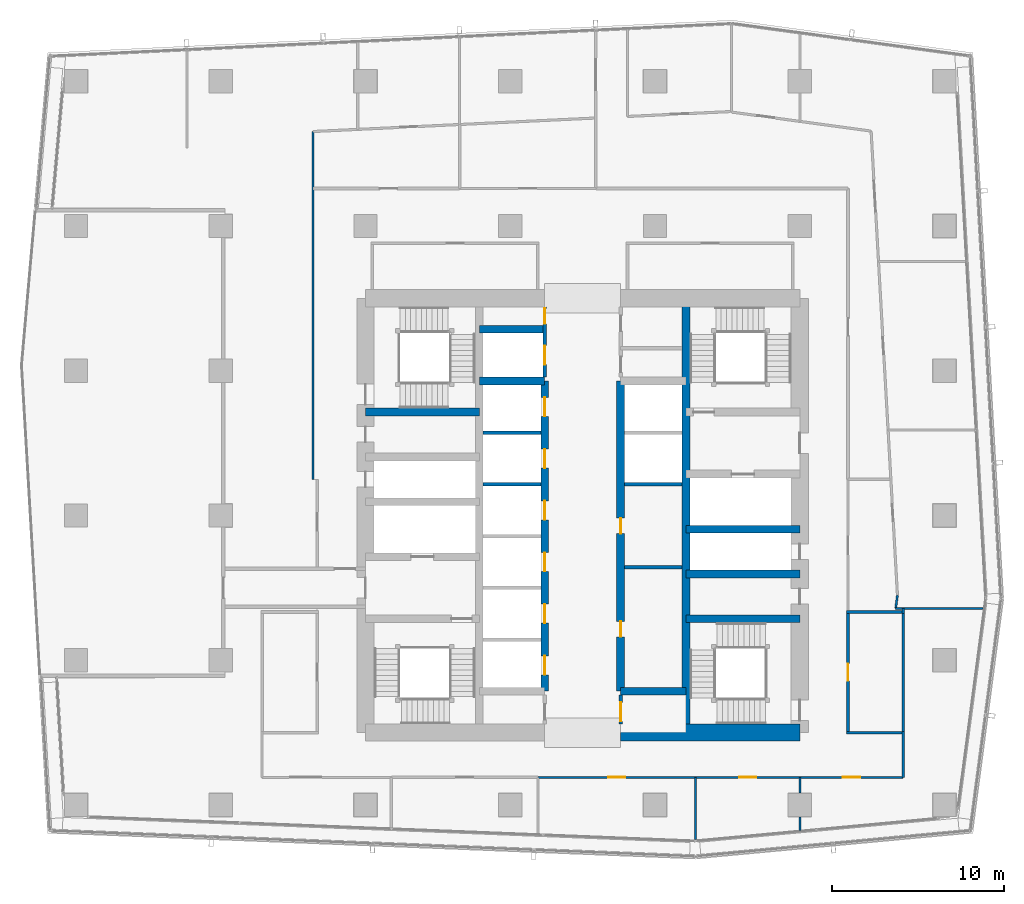
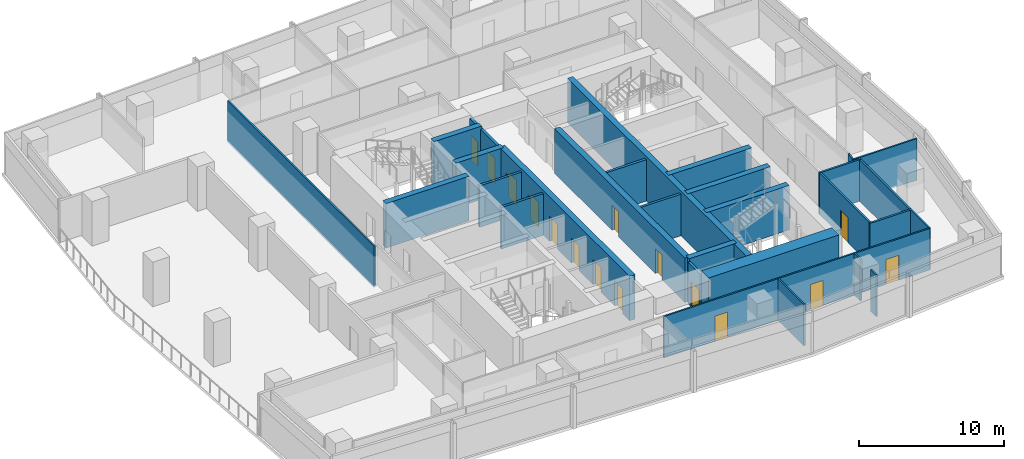
# One storey, part 25 of 35: 33 walls, 15 doors, 15 openings.
"""IFC4 building model written with IfcOpenShell, lengths in metres."""

from ifc_helpers import new_model, si_unit, direction, frame, frame_2d, origin, place, context, subcontext, project, spatial, rectangle, extrude, material, layer, layer_set, type_object, element, fill, save


model = new_model("IFC4")

# Units and contexts
model_context = context("Model", 3, precision=1e-05, world=origin(), true_north=direction((0.0, 1.0)))
body_context = subcontext(model_context, "Body", "Model", "MODEL_VIEW")
ifc_project = project(units=[si_unit("LENGTHUNIT", "METRE"), si_unit("AREAUNIT", "SQUARE_METRE"), si_unit("VOLUMEUNIT", "CUBIC_METRE"), si_unit("PLANEANGLEUNIT", "RADIAN"), si_unit("MASSUNIT", "GRAM", prefix="KILO")], contexts=[model_context])

# Site, building, storey
site_placement = place(None, origin())
site = spatial("IfcSite", under=ifc_project, at=site_placement, CompositionType="ELEMENT")
building_placement = place(site_placement, origin())
building = spatial("IfcBuilding", under=site, at=building_placement, Name="Rekha Terrace Tower", CompositionType="ELEMENT")
storey_placement = place(building_placement, frame((0.0, 0.0, 191.449951171875)))
storey = spatial("IfcBuildingStorey", under=building, at=storey_placement, Name="L48", CompositionType="ELEMENT", Elevation=191.449951171875)

# Wall
ifc_material_1 = material(Name="Concrete M60", Category="concrete")
ifc_layer_1 = layer(ifc_material_1, 0.449951171875)
ifc_layer_set_1 = layer_set([ifc_layer_1], Name="Concrete M60")
wall_type_1 = type_object("IfcWallType", Name="CI3 450 core internal shear wall", PredefinedType="SHEAR", material=ifc_layer_set_1)
wall_1_placement = place(storey_placement, frame((43.800048828125, 21.0, 0.0), z_axis=(0.0, 0.0, 1.0), x_axis=(0.0, 1.0, 0.0)))
element("IfcWall", 1, at=wall_1_placement, inside=storey, type_object=wall_type_1, Name="Core wall X438 L48", PredefinedType="SHEAR", context=body_context, shape_type="SweptSolid", body=[
    extrude(rectangle(XDim=25.199951171875, YDim=0.449951171875, at=frame_2d((12.60009765625, 0.0))), origin(), (0.0, 0.0, 1.0), 3.75),
])

# Wall, openings, doors
wall_2_placement = place(storey_placement, frame((35.60009765625, 23.39990234375, 0.0), z_axis=(0.0, 0.0, 1.0), x_axis=(0.0, 1.0, 0.0)))
wall_2 = element("IfcWall", 2, at=wall_2_placement, inside=storey, type_object=wall_type_1, Name="Core wall X356 L48", PredefinedType="SHEAR", context=body_context, shape_type="SweptSolid", body=[
    extrude(rectangle(XDim=18.0, YDim=0.449951171875, at=frame_2d((9.0, 0.0))), origin(), (0.0, 0.0, 1.0), 3.75),
])
opening_1_placement = place(wall_2_placement, frame((0.949951171875, 0.0, 0.0)))
opening_1 = element("IfcOpeningElement", 3, at=opening_1_placement, cuts=wall_2, Name="Opening LD1", PredefinedType="OPENING", context=body_context, shape_type="SweptSolid", body=[
    extrude(rectangle(XDim=1.10009765625, YDim=2.10009765625, at=frame_2d((0.550048828125, 1.050048828125))), frame((0.0, 0.23486328125, 0.0), z_axis=(0.0, -1.0, 0.0), x_axis=(1.0, 0.0, 0.0)), (0.0, 0.0, 1.0), 0.469970703125),
])
opening_2_placement = place(wall_2_placement, frame((3.949951171875, 0.0, 0.0)))
opening_2 = element("IfcOpeningElement", 4, at=opening_2_placement, cuts=wall_2, Name="Opening LD1", PredefinedType="OPENING", context=body_context, shape_type="SweptSolid", body=[
    extrude(rectangle(XDim=1.10009765625, YDim=2.10009765625, at=frame_2d((0.550048828125, 1.050048828125))), frame((0.0, 0.23486328125, 0.0), z_axis=(0.0, -1.0, 0.0), x_axis=(1.0, 0.0, 0.0)), (0.0, 0.0, 1.0), 0.469970703125),
])
opening_3_placement = place(wall_2_placement, frame((6.949951171875, 0.0, 0.0)))
opening_3 = element("IfcOpeningElement", 5, at=opening_3_placement, cuts=wall_2, Name="Opening LD1", PredefinedType="OPENING", context=body_context, shape_type="SweptSolid", body=[
    extrude(rectangle(XDim=1.10009765625, YDim=2.10009765625, at=frame_2d((0.550048828125, 1.050048828125))), frame((0.0, 0.23486328125, 0.0), z_axis=(0.0, -1.0, 0.0), x_axis=(1.0, 0.0, 0.0)), (0.0, 0.0, 1.0), 0.469970703125),
])
opening_4_placement = place(wall_2_placement, frame((9.949951171875, 0.0, 0.0)))
opening_4 = element("IfcOpeningElement", 6, at=opening_4_placement, cuts=wall_2, Name="Opening LD1", PredefinedType="OPENING", context=body_context, shape_type="SweptSolid", body=[
    extrude(rectangle(XDim=1.10009765625, YDim=2.10009765625, at=frame_2d((0.550048828125, 1.050048828125))), frame((0.0, 0.23486328125, 0.0), z_axis=(0.0, -1.0, 0.0), x_axis=(1.0, 0.0, 0.0)), (0.0, 0.0, 1.0), 0.469970703125),
])
opening_5_placement = place(wall_2_placement, frame((12.949951171875, 0.0, 0.0)))
opening_5 = element("IfcOpeningElement", 7, at=opening_5_placement, cuts=wall_2, Name="Opening LD1", PredefinedType="OPENING", context=body_context, shape_type="SweptSolid", body=[
    extrude(rectangle(XDim=1.10009765625, YDim=2.10009765625, at=frame_2d((0.550048828125, 1.050048828125))), frame((0.0, 0.23486328125, 0.0), z_axis=(0.0, -1.0, 0.0), x_axis=(1.0, 0.0, 0.0)), (0.0, 0.0, 1.0), 0.469970703125),
])
opening_6_placement = place(wall_2_placement, frame((15.949951171875, 0.0, 0.0)))
opening_6 = element("IfcOpeningElement", 8, at=opening_6_placement, cuts=wall_2, Name="Opening LD1", PredefinedType="OPENING", context=body_context, shape_type="SweptSolid", body=[
    extrude(rectangle(XDim=1.10009765625, YDim=2.10009765625, at=frame_2d((0.550048828125, 1.050048828125))), frame((0.0, 0.23486328125, 0.0), z_axis=(0.0, -1.0, 0.0), x_axis=(1.0, 0.0, 0.0)), (0.0, 0.0, 1.0), 0.469970703125),
])
ifc_material_2 = material(Name="Stainless steel sliding landing door", Category="steel")
door_type_1 = type_object("IfcDoorType", Name="LD1 1100x2100 lift landing door", OperationType="SLIDING_TO_LEFT", PredefinedType="USERDEFINED", material=ifc_material_2)
door_1_placement = place(opening_1_placement, origin())
door_1 = element("IfcDoor", 9, at=door_1_placement, inside=storey, type_object=door_type_1, Name="Lift C1 landing door L48", ObjectType="LIFT LANDING DOOR", OperationType="SLIDING_TO_LEFT", OverallHeight=2.10009765625, OverallWidth=1.10009765625, PredefinedType="USERDEFINED", context=body_context, shape_type="SweptSolid", body=[
    extrude(rectangle(XDim=1.10009765625, YDim=2.10009765625, at=frame_2d((0.550048828125, 1.050048828125))), frame((0.0, 0.02490234375, 0.0), z_axis=(0.0, -1.0, 0.0), x_axis=(1.0, 0.0, 0.0)), (0.0, 0.0, 1.0), 0.050048828125),
])
fill(opening_1, door_1)
door_2_placement = place(opening_2_placement, origin())
door_2 = element("IfcDoor", 10, at=door_2_placement, inside=storey, type_object=door_type_1, Name="Lift C2 landing door L48", ObjectType="LIFT LANDING DOOR", OperationType="SLIDING_TO_LEFT", OverallHeight=2.10009765625, OverallWidth=1.10009765625, PredefinedType="USERDEFINED", context=body_context, shape_type="SweptSolid", body=[
    extrude(rectangle(XDim=1.10009765625, YDim=2.10009765625, at=frame_2d((0.550048828125, 1.050048828125))), frame((0.0, 0.02490234375, 0.0), z_axis=(0.0, -1.0, 0.0), x_axis=(1.0, 0.0, 0.0)), (0.0, 0.0, 1.0), 0.050048828125),
])
fill(opening_2, door_2)
door_3_placement = place(opening_3_placement, origin())
door_3 = element("IfcDoor", 11, at=door_3_placement, inside=storey, type_object=door_type_1, Name="Lift C3 landing door L48", ObjectType="LIFT LANDING DOOR", OperationType="SLIDING_TO_LEFT", OverallHeight=2.10009765625, OverallWidth=1.10009765625, PredefinedType="USERDEFINED", context=body_context, shape_type="SweptSolid", body=[
    extrude(rectangle(XDim=1.10009765625, YDim=2.10009765625, at=frame_2d((0.550048828125, 1.050048828125))), frame((0.0, 0.02490234375, 0.0), z_axis=(0.0, -1.0, 0.0), x_axis=(1.0, 0.0, 0.0)), (0.0, 0.0, 1.0), 0.050048828125),
])
fill(opening_3, door_3)
door_4_placement = place(opening_4_placement, origin())
door_4 = element("IfcDoor", 12, at=door_4_placement, inside=storey, type_object=door_type_1, Name="Lift C4 landing door L48", ObjectType="LIFT LANDING DOOR", OperationType="SLIDING_TO_LEFT", OverallHeight=2.10009765625, OverallWidth=1.10009765625, PredefinedType="USERDEFINED", context=body_context, shape_type="SweptSolid", body=[
    extrude(rectangle(XDim=1.10009765625, YDim=2.10009765625, at=frame_2d((0.550048828125, 1.050048828125))), frame((0.0, 0.02490234375, 0.0), z_axis=(0.0, -1.0, 0.0), x_axis=(1.0, 0.0, 0.0)), (0.0, 0.0, 1.0), 0.050048828125),
])
fill(opening_4, door_4)
door_5_placement = place(opening_5_placement, origin())
door_5 = element("IfcDoor", 13, at=door_5_placement, inside=storey, type_object=door_type_1, Name="Lift C5 landing door L48", ObjectType="LIFT LANDING DOOR", OperationType="SLIDING_TO_LEFT", OverallHeight=2.10009765625, OverallWidth=1.10009765625, PredefinedType="USERDEFINED", context=body_context, shape_type="SweptSolid", body=[
    extrude(rectangle(XDim=1.10009765625, YDim=2.10009765625, at=frame_2d((0.550048828125, 1.050048828125))), frame((0.0, 0.02490234375, 0.0), z_axis=(0.0, -1.0, 0.0), x_axis=(1.0, 0.0, 0.0)), (0.0, 0.0, 1.0), 0.050048828125),
])
fill(opening_5, door_5)
door_6_placement = place(opening_6_placement, origin())
door_6 = element("IfcDoor", 14, at=door_6_placement, inside=storey, type_object=door_type_1, Name="Lift C6 landing door L48", ObjectType="LIFT LANDING DOOR", OperationType="SLIDING_TO_LEFT", OverallHeight=2.10009765625, OverallWidth=1.10009765625, PredefinedType="USERDEFINED", context=body_context, shape_type="SweptSolid", body=[
    extrude(rectangle(XDim=1.10009765625, YDim=2.10009765625, at=frame_2d((0.550048828125, 1.050048828125))), frame((0.0, 0.02490234375, 0.0), z_axis=(0.0, -1.0, 0.0), x_axis=(1.0, 0.0, 0.0)), (0.0, 0.0, 1.0), 0.050048828125),
])
fill(opening_6, door_6)

wall_3_placement = place(storey_placement, frame((40.0, 23.39990234375, 0.0), z_axis=(0.0, 0.0, 1.0), x_axis=(0.0, 1.0, 0.0)))
wall_3 = element("IfcWall", 15, at=wall_3_placement, inside=storey, type_object=wall_type_1, Name="Core wall X400 L48", PredefinedType="SHEAR", context=body_context, shape_type="SweptSolid", body=[
    extrude(rectangle(XDim=18.0, YDim=0.449951171875, at=frame_2d((9.0, 0.0))), origin(), (0.0, 0.0, 1.0), 3.75),
])
opening_7_placement = place(wall_3_placement, frame((3.14990234375, 0.0, 0.0)))
opening_7 = element("IfcOpeningElement", 16, at=opening_7_placement, cuts=wall_3, Name="Opening D5", PredefinedType="OPENING", context=body_context, shape_type="SweptSolid", body=[
    extrude(rectangle(XDim=0.89990234375, YDim=2.10009765625, at=frame_2d((0.449951171875, 1.050048828125))), frame((0.0, 0.23486328125, 0.0), z_axis=(0.0, -1.0, 0.0), x_axis=(1.0, 0.0, 0.0)), (0.0, 0.0, 1.0), 0.469970703125),
])
opening_8_placement = place(wall_3_placement, frame((9.14990234375, 0.0, 0.0)))
opening_8 = element("IfcOpeningElement", 17, at=opening_8_placement, cuts=wall_3, Name="Opening D5", PredefinedType="OPENING", context=body_context, shape_type="SweptSolid", body=[
    extrude(rectangle(XDim=0.89990234375, YDim=2.10009765625, at=frame_2d((0.449951171875, 1.050048828125))), frame((0.0, 0.23486328125, 0.0), z_axis=(0.0, -1.0, 0.0), x_axis=(1.0, 0.0, 0.0)), (0.0, 0.0, 1.0), 0.469970703125),
])
ifc_material_3 = material(Name="Steel fire door", Category="steel")
door_type_2 = type_object("IfcDoorType", Name="D5 900x2100 riser access door", OperationType="SINGLE_SWING_LEFT", PredefinedType="DOOR", material=ifc_material_3)
door_7_placement = place(opening_7_placement, origin())
door_7 = element("IfcDoor", 18, at=door_7_placement, inside=storey, type_object=door_type_2, Name="Door back-of-house store L48", OperationType="SINGLE_SWING_LEFT", OverallHeight=2.10009765625, OverallWidth=0.89990234375, PredefinedType="DOOR", context=body_context, shape_type="SweptSolid", body=[
    extrude(rectangle(XDim=0.89990234375, YDim=2.10009765625, at=frame_2d((0.449951171875, 1.050048828125))), frame((0.0, 0.02490234375, 0.0), z_axis=(0.0, -1.0, 0.0), x_axis=(1.0, 0.0, 0.0)), (0.0, 0.0, 1.0), 0.050048828125),
])
fill(opening_7, door_7)
door_8_placement = place(opening_8_placement, origin())
door_8 = element("IfcDoor", 19, at=door_8_placement, inside=storey, type_object=door_type_2, Name="Door records store L48", OperationType="SINGLE_SWING_LEFT", OverallHeight=2.10009765625, OverallWidth=0.89990234375, PredefinedType="DOOR", context=body_context, shape_type="SweptSolid", body=[
    extrude(rectangle(XDim=0.89990234375, YDim=2.10009765625, at=frame_2d((0.449951171875, 1.050048828125))), frame((0.0, 0.02490234375, 0.0), z_axis=(0.0, -1.0, 0.0), x_axis=(1.0, 0.0, 0.0)), (0.0, 0.0, 1.0), 0.050048828125),
])
fill(opening_8, door_8)

# Walls
for number, where, z_axis, x_axis, name in (
    (20, (31.800048828125, 41.39990234375, 0.0), (0.0, 0.0, 1.0), (1.0, 0.0, 0.0), "Core wall Y414W L48"),
    (21, (31.800048828125, 44.39990234375, 0.0), (0.0, 0.0, 1.0), (1.0, 0.0, 0.0), "Core wall Y444W L48"),
    (22, (40.0, 23.39990234375, 0.0), (0.0, 0.0, 1.0), (1.0, 0.0, 0.0), "Core wall Y234E L48"),
):
    element("IfcWall", number, at=place(storey_placement, frame(where, z_axis=z_axis, x_axis=x_axis)), inside=storey, type_object=wall_type_1, Name=name, PredefinedType="SHEAR", context=body_context, shape_type="SweptSolid", body=[
        extrude(rectangle(XDim=3.800048828125, YDim=0.449951171875, at=frame_2d((1.89990234375, 0.0))), origin(), (0.0, 0.0, 1.0), 3.75),
    ])
wall_4_placement = place(storey_placement, frame((25.199951171875, 39.60009765625, 0.0), z_axis=(0.0, 0.0, 1.0), x_axis=(1.0, 0.0, 0.0)))
element("IfcWall", 23, at=wall_4_placement, inside=storey, type_object=wall_type_1, Name="Core wall Y396W L48", PredefinedType="SHEAR", context=body_context, shape_type="SweptSolid", body=[
    extrude(rectangle(XDim=6.60009765625, YDim=0.449951171875, at=frame_2d((3.300048828125, 0.0))), origin(), (0.0, 0.0, 1.0), 3.75),
])
for number, where, z_axis, x_axis, name in (
    (24, (43.800048828125, 27.60009765625, 0.0), (0.0, 0.0, 1.0), (1.0, 0.0, 0.0), "Core wall Y276E L48"),
    (25, (43.800048828125, 30.199951171875, 0.0), (0.0, 0.0, 1.0), (1.0, 0.0, 0.0), "Core wall Y302E L48"),
    (26, (43.800048828125, 32.800048828125, 0.0), (0.0, 0.0, 1.0), (1.0, 0.0, 0.0), "Core wall Y328E L48"),
):
    element("IfcWall", number, at=place(storey_placement, frame(where, z_axis=z_axis, x_axis=x_axis)), inside=storey, type_object=wall_type_1, Name=name, PredefinedType="SHEAR", context=body_context, shape_type="SweptSolid", body=[
        extrude(rectangle(XDim=6.599853515625, YDim=0.449951171875, at=frame_2d((3.2998046875, 0.0))), origin(), (0.0, 0.0, 1.0), 3.75),
    ])
ifc_layer_2 = layer(ifc_material_1, 1.0)
ifc_layer_set_2 = layer_set([ifc_layer_2], Name="Concrete M60")
wall_type_2 = type_object("IfcWallType", Name="SW3 1000 core outer shear wall", PredefinedType="SHEAR", material=ifc_layer_set_2)
wall_5_placement = place(storey_placement, frame((40.0, 21.0, 0.0), z_axis=(0.0, 0.0, 1.0), x_axis=(1.0, 0.0, 0.0)))
element("IfcWall", 27, at=wall_5_placement, inside=storey, type_object=wall_type_2, Name="Core wall S2 L48", PredefinedType="SHEAR", context=body_context, shape_type="SweptSolid", body=[
    extrude(rectangle(XDim=10.39990234375, YDim=1.0, at=frame_2d((5.199951171875, 0.0))), origin(), (0.0, 0.0, 1.0), 3.75),
])
ifc_material_4 = material(Name="Concrete block masonry, 1 hour", Category="masonry")
ifc_layer_3 = layer(ifc_material_4, 0.14990234375)
ifc_layer_set_3 = layer_set([ifc_layer_3], Name="Concrete block masonry, 1 hour")
wall_type_3 = type_object("IfcWallType", Name="WP2 150 tenancy partition", PredefinedType="PARTITIONING", material=ifc_layer_set_3)
for number, where, z_axis, x_axis, name in (
    (28, (53.125, 21.0, 0.0), (0.0, 0.0, 1.0), (1.0, 0.0, 0.0), "Men's WC wall L48"),
    (29, (53.125, 28.0, 0.0), (0.0, 0.0, 1.0), (1.0, 0.0, 0.0), "Men's WC wall L48"),
):
    element("IfcWall", number, at=place(storey_placement, frame(where, z_axis=z_axis, x_axis=x_axis)), inside=storey, type_object=wall_type_3, Name=name, PredefinedType="PARTITIONING", context=body_context, shape_type="SweptSolid", body=[
        extrude(rectangle(XDim=3.35009765625, YDim=0.14990234375, at=frame_2d((1.675048828125, 0.0))), origin(), (0.0, 0.0, 1.0), 3.5),
    ])

# Wall, opening, door
wall_6_placement = place(storey_placement, frame((53.199951171875, 21.074951171875, 0.0), z_axis=(0.0, 0.0, 1.0), x_axis=(0.0, 1.0, 0.0)))
wall_6 = element("IfcWall", 30, at=wall_6_placement, inside=storey, type_object=wall_type_3, Name="Men's WC wall L48", PredefinedType="PARTITIONING", context=body_context, shape_type="SweptSolid", body=[
    extrude(rectangle(XDim=6.85009765625, YDim=0.14990234375, at=frame_2d((3.425048828125, 0.0))), origin(), (0.0, 0.0, 1.0), 3.5),
])
opening_9_placement = place(wall_6_placement, frame((2.925048828125, 0.0, 0.0)))
opening_9 = element("IfcOpeningElement", 31, at=opening_9_placement, cuts=wall_6, Name="Opening D3", PredefinedType="OPENING", context=body_context, shape_type="SweptSolid", body=[
    extrude(rectangle(XDim=1.0, YDim=2.10009765625, at=frame_2d((0.5, 1.050048828125))), frame((0.0, 0.0849609375, 0.0), z_axis=(0.0, -1.0, 0.0), x_axis=(1.0, 0.0, 0.0)), (0.0, 0.0, 1.0), 0.169921875),
])
ifc_material_5 = material(Name="Laminated timber fire door", Category="wood")
door_type_3 = type_object("IfcDoorType", Name="D3 1000x2100 WC door", OperationType="SINGLE_SWING_LEFT", PredefinedType="DOOR", material=ifc_material_5)
door_9_placement = place(opening_9_placement, origin())
door_9 = element("IfcDoor", 32, at=door_9_placement, inside=storey, type_object=door_type_3, Name="Door men's wc L48", OperationType="SINGLE_SWING_LEFT", OverallHeight=2.10009765625, OverallWidth=1.0, PredefinedType="DOOR", context=body_context, shape_type="SweptSolid", body=[
    extrude(rectangle(XDim=1.0, YDim=2.10009765625, at=frame_2d((0.5, 1.050048828125))), frame((0.0, 0.02490234375, 0.0), z_axis=(0.0, -1.0, 0.0), x_axis=(1.0, 0.0, 0.0)), (0.0, 0.0, 1.0), 0.050048828125),
])
fill(opening_9, door_9)

# Wall
wall_7_placement = place(storey_placement, frame((56.39990234375, 21.074951171875, 0.0), z_axis=(0.0, 0.0, 1.0), x_axis=(0.0, 1.0, 0.0)))
element("IfcWall", 33, at=wall_7_placement, inside=storey, type_object=wall_type_3, Name="Men's WC wall L48", PredefinedType="PARTITIONING", context=body_context, shape_type="SweptSolid", body=[
    extrude(rectangle(XDim=6.85009765625, YDim=0.14990234375, at=frame_2d((3.425048828125, 0.0))), origin(), (0.0, 0.0, 1.0), 3.5),
])

# Wall, opening, door
ifc_material_6 = material(Name="Two layers of fire-rated gypsum board each side on steel studs, acoustic quilt, 1 hour", Category="steel")
ifc_layer_4 = layer(ifc_material_6, 0.125)
ifc_layer_set_4 = layer_set([ifc_layer_4], Name="Two layers of fire-rated gypsum board each side on steel studs, acoustic quilt, 1 hour")
wall_type_4 = type_object("IfcWallType", Name="WP3 125 office partition", PredefinedType="PARTITIONING", material=ifc_layer_set_4)
wall_8_placement = place(storey_placement, frame((35.198974609375, 18.39990234375, 0.0), z_axis=(0.0, 0.0, 1.0), x_axis=(1.0, 0.0, 0.0)))
wall_8 = element("IfcWall", 34, at=wall_8_placement, inside=storey, type_object=wall_type_4, Name="Partition L48-02", PredefinedType="PARTITIONING", context=body_context, shape_type="SweptSolid", body=[
    extrude(rectangle(XDim=9.14501953125, YDim=0.125, at=frame_2d((4.572509765625, 0.0))), origin(), (0.0, 0.0, 1.0), 3.5),
])
opening_10_placement = place(wall_8_placement, frame((4.072998046875, 0.0, 0.0)))
opening_10 = element("IfcOpeningElement", 35, at=opening_10_placement, cuts=wall_8, Name="Opening D9", PredefinedType="OPENING", context=body_context, shape_type="SweptSolid", body=[
    extrude(rectangle(XDim=1.0, YDim=2.10009765625, at=frame_2d((0.5, 1.050048828125))), frame((0.0, 0.072509765625, 0.0), z_axis=(0.0, -1.0, 0.0), x_axis=(1.0, 0.0, 0.0)), (0.0, 0.0, 1.0), 0.14501953125),
])
ifc_material_7 = material(Name="Timber fire door", Category="wood")
door_type_4 = type_object("IfcDoorType", Name="D9 1000x2100 office door", OperationType="SINGLE_SWING_LEFT", PredefinedType="DOOR", material=ifc_material_7)
door_10_placement = place(opening_10_placement, origin())
door_10 = element("IfcDoor", 36, at=door_10_placement, inside=storey, type_object=door_type_4, Name="Door breakout lounge L48", OperationType="SINGLE_SWING_LEFT", OverallHeight=2.10009765625, OverallWidth=1.0, PredefinedType="DOOR", context=body_context, shape_type="SweptSolid", body=[
    extrude(rectangle(XDim=1.0, YDim=2.10009765625, at=frame_2d((0.5, 1.050048828125))), frame((0.0, 0.02490234375, 0.0), z_axis=(0.0, -1.0, 0.0), x_axis=(1.0, 0.0, 0.0)), (0.0, 0.0, 1.0), 0.050048828125),
])
fill(opening_10, door_10)

# Wall
wall_9_placement = place(storey_placement, frame((44.343994140625, 18.39990234375, 0.0), z_axis=(0.0, 0.0, 1.0), x_axis=(0.0, -1.0, 0.0)))
element("IfcWall", 37, at=wall_9_placement, inside=storey, type_object=wall_type_4, Name="Partition L48-02", PredefinedType="PARTITIONING", context=body_context, shape_type="SweptSolid", body=[
    extrude(rectangle(XDim=3.60498046875, YDim=0.125, at=frame_2d((1.802490234375, 0.0))), origin(), (0.0, 0.0, 1.0), 3.5),
])

# Wall, opening, door
wall_10_placement = place(storey_placement, frame((44.344970703125, 18.39990234375, 0.0), z_axis=(0.0, 0.0, 1.0), x_axis=(1.0, 0.0, 0.0)))
wall_10 = element("IfcWall", 38, at=wall_10_placement, inside=storey, type_object=wall_type_4, Name="Partition L48-03", PredefinedType="PARTITIONING", context=body_context, shape_type="SweptSolid", body=[
    extrude(rectangle(XDim=6.06298828125, YDim=0.125, at=frame_2d((3.031494140625, 0.0))), origin(), (0.0, 0.0, 1.0), 3.5),
])
opening_11_placement = place(wall_10_placement, frame((2.531982421875, 0.0, 0.0)))
opening_11 = element("IfcOpeningElement", 39, at=opening_11_placement, cuts=wall_10, Name="Opening D9", PredefinedType="OPENING", context=body_context, shape_type="SweptSolid", body=[
    extrude(rectangle(XDim=1.0, YDim=2.10009765625, at=frame_2d((0.5, 1.050048828125))), frame((0.0, 0.072509765625, 0.0), z_axis=(0.0, -1.0, 0.0), x_axis=(1.0, 0.0, 0.0)), (0.0, 0.0, 1.0), 0.14501953125),
])
door_11_placement = place(opening_11_placement, origin())
door_11 = element("IfcDoor", 40, at=door_11_placement, inside=storey, type_object=door_type_4, Name="Door meeting room L48", OperationType="SINGLE_SWING_LEFT", OverallHeight=2.10009765625, OverallWidth=1.0, PredefinedType="DOOR", context=body_context, shape_type="SweptSolid", body=[
    extrude(rectangle(XDim=1.0, YDim=2.10009765625, at=frame_2d((0.5, 1.050048828125))), frame((0.0, 0.02490234375, 0.0), z_axis=(0.0, -1.0, 0.0), x_axis=(1.0, 0.0, 0.0)), (0.0, 0.0, 1.0), 0.050048828125),
])
fill(opening_11, door_11)

# Walls
wall_11_placement = place(storey_placement, frame((50.407958984375, 18.39990234375, 0.0), z_axis=(0.0, 0.0, 1.0), x_axis=(0.0, -1.0, 0.0)))
element("IfcWall", 41, at=wall_11_placement, inside=storey, type_object=wall_type_4, Name="Partition L48-03", PredefinedType="PARTITIONING", context=body_context, shape_type="SweptSolid", body=[
    extrude(rectangle(XDim=0.90478515625, YDim=0.125, at=frame_2d((0.452392578125, 0.0))), origin(), (0.0, 0.0, 1.0), 3.5),
])
wall_12_placement = place(storey_placement, frame((50.407958984375, 16.10498046875, 0.0), z_axis=(0.0, 0.0, 1.0), x_axis=(0.0, -1.0, 0.0)))
element("IfcWall", 42, at=wall_12_placement, inside=storey, type_object=wall_type_4, Name="Partition L48-03", PredefinedType="PARTITIONING", context=body_context, shape_type="SweptSolid", body=[
    extrude(rectangle(XDim=0.77490234375, YDim=0.125, at=frame_2d((0.387451171875, 0.0))), origin(), (0.0, 0.0, 1.0), 3.5),
])

# Wall, opening, door
wall_13_placement = place(storey_placement, frame((50.408935546875, 18.39990234375, 0.0), z_axis=(0.0, 0.0, 1.0), x_axis=(1.0, 0.0, 0.0)))
wall_13 = element("IfcWall", 43, at=wall_13_placement, inside=storey, type_object=wall_type_4, Name="Partition L48-04", PredefinedType="PARTITIONING", context=body_context, shape_type="SweptSolid", body=[
    extrude(rectangle(XDim=5.990966796875, YDim=0.125, at=frame_2d((2.99560546875, 0.0))), origin(), (0.0, 0.0, 1.0), 3.5),
])
opening_12_placement = place(wall_13_placement, frame((2.4951171875, 0.0, 0.0)))
opening_12 = element("IfcOpeningElement", 44, at=opening_12_placement, cuts=wall_13, Name="Opening D9", PredefinedType="OPENING", context=body_context, shape_type="SweptSolid", body=[
    extrude(rectangle(XDim=1.0, YDim=2.10009765625, at=frame_2d((0.5, 1.050048828125))), frame((0.0, 0.072509765625, 0.0), z_axis=(0.0, -1.0, 0.0), x_axis=(1.0, 0.0, 0.0)), (0.0, 0.0, 1.0), 0.14501953125),
])
door_12_placement = place(opening_12_placement, origin())
door_12 = element("IfcDoor", 45, at=door_12_placement, inside=storey, type_object=door_type_4, Name="Door director's office L48", OperationType="SINGLE_SWING_LEFT", OverallHeight=2.10009765625, OverallWidth=1.0, PredefinedType="DOOR", context=body_context, shape_type="SweptSolid", body=[
    extrude(rectangle(XDim=1.0, YDim=2.10009765625, at=frame_2d((0.5, 1.050048828125))), frame((0.0, 0.02490234375, 0.0), z_axis=(0.0, -1.0, 0.0), x_axis=(1.0, 0.0, 0.0)), (0.0, 0.0, 1.0), 0.050048828125),
])
fill(opening_12, door_12)

# Walls
wall_14_placement = place(storey_placement, frame((56.39990234375, 18.39990234375, 0.0), z_axis=(0.0, 0.0, 1.0), x_axis=(0.0, 1.0, 0.0)))
element("IfcWall", 46, at=wall_14_placement, inside=storey, type_object=wall_type_4, Name="Partition L48-04", PredefinedType="PARTITIONING", context=body_context, shape_type="SweptSolid", body=[
    extrude(rectangle(XDim=2.675048828125, YDim=0.125, at=frame_2d((1.33740234375, 0.0))), origin(), (0.0, 0.0, 1.0), 3.5),
])
wall_15_placement = place(storey_placement, frame((56.39990234375, 27.925048828125, 0.0), z_axis=(0.0, 0.0, 1.0), x_axis=(0.0, 1.0, 0.0)))
element("IfcWall", 47, at=wall_15_placement, inside=storey, type_object=wall_type_4, Name="Partition L48-04", PredefinedType="PARTITIONING", context=body_context, shape_type="SweptSolid", body=[
    extrude(rectangle(XDim=0.282958984375, YDim=0.125, at=frame_2d((0.1416015625, 0.0))), origin(), (0.0, 0.0, 1.0), 3.5),
])
wall_16_placement = place(storey_placement, frame((56.39990234375, 28.2080078125, 0.0), z_axis=(0.0, 0.0, 1.0), x_axis=(1.0, 0.0, 0.0)))
element("IfcWall", 48, at=wall_16_placement, inside=storey, type_object=wall_type_4, Name="Partition L48-04", PredefinedType="PARTITIONING", context=body_context, shape_type="SweptSolid", body=[
    extrude(rectangle(XDim=4.630126953125, YDim=0.125, at=frame_2d((2.31494140625, 0.0))), origin(), (0.0, 0.0, 1.0), 3.5),
])
wall_17_placement = place(storey_placement, frame((56.39990234375, 28.208984375, 0.0), z_axis=(0.0, 0.0, 1.0), x_axis=(-1.0, 0.0, 0.0)))
element("IfcWall", 49, at=wall_17_placement, inside=storey, type_object=wall_type_4, Name="Partition L48-05", PredefinedType="PARTITIONING", context=body_context, shape_type="SweptSolid", body=[
    extrude(rectangle(XDim=0.433837890625, YDim=0.125, at=frame_2d((0.216796875, 0.0))), origin(), (0.0, 0.0, 1.0), 3.5),
])
wall_18_placement = place(storey_placement, frame((55.966064453125, 28.208984375, 0.0), z_axis=(0.0, 0.0, 1.0), x_axis=(0.131020731706, 0.991379628529, 0.0)))
element("IfcWall", 50, at=wall_18_placement, inside=storey, type_object=wall_type_4, Name="Partition L48-05", PredefinedType="PARTITIONING", context=body_context, shape_type="SweptSolid", body=[
    extrude(rectangle(XDim=0.76953125, YDim=0.125, at=frame_2d((0.384765625, 0.0))), origin(), (0.0, 0.0, 1.0), 3.5),
])
wall_19_placement = place(storey_placement, frame((22.15087890625, 55.8798828125, 0.0), z_axis=(0.0, 0.0, 1.0), x_axis=(0.0, -1.0, 0.0)))
element("IfcWall", 51, at=wall_19_placement, inside=storey, type_object=wall_type_4, Name="Partition L48-11", PredefinedType="PARTITIONING", context=body_context, shape_type="SweptSolid", body=[
    extrude(rectangle(XDim=20.178955078125, YDim=0.125, at=frame_2d((10.08935546875, 0.0))), origin(), (0.0, 0.0, 1.0), 3.5),
])
ifc_material_8 = material(Name="Solid concrete block masonry, 2 hour", Category="masonry")
ifc_layer_5 = layer(ifc_material_8, 0.199951171875)
ifc_layer_set_5 = layer_set([ifc_layer_5], Name="Solid concrete block masonry, 2 hour")
wall_type_5 = type_object("IfcWallType", Name="WS1 200 stair and shaft enclosure", PredefinedType="PARTITIONING", material=ifc_layer_set_5)
for number, where, z_axis, x_axis, name in (
    (52, (32.02490234375, 35.39990234375, 0.0), (0.0, 0.0, 1.0), (1.0, 0.0, 0.0), "Lift shaft divider L48"),
    (53, (32.02490234375, 38.39990234375, 0.0), (0.0, 0.0, 1.0), (1.0, 0.0, 0.0), "Lift shaft divider L48"),
):
    element("IfcWall", number, at=place(storey_placement, frame(where, z_axis=z_axis, x_axis=x_axis)), inside=storey, type_object=wall_type_5, Name=name, PredefinedType="PARTITIONING", context=body_context, shape_type="SweptSolid", body=[
        extrude(rectangle(XDim=3.35009765625, YDim=0.199951171875, at=frame_2d((1.675048828125, 0.0))), origin(), (0.0, 0.0, 1.0), 3.5),
    ])
wall_20_placement = place(storey_placement, frame((40.22509765625, 35.39990234375, 0.0), z_axis=(0.0, 0.0, 1.0), x_axis=(1.0, 0.0, 0.0)))
element("IfcWall", 54, at=wall_20_placement, inside=storey, type_object=wall_type_5, Name="Lift shaft divider L48", PredefinedType="PARTITIONING", context=body_context, shape_type="SweptSolid", body=[
    extrude(rectangle(XDim=3.349853515625, YDim=0.199951171875, at=frame_2d((1.6748046875, 0.0))), origin(), (0.0, 0.0, 1.0), 3.5),
])

# Wall, opening, door
wall_21_placement = place(storey_placement, frame((40.0, 21.5, 0.0), z_axis=(0.0, 0.0, 1.0), x_axis=(0.0, 1.0, 0.0)))
wall_21 = element("IfcWall", 55, at=wall_21_placement, inside=storey, type_object=wall_type_5, Name="Core partition wca L48", PredefinedType="PARTITIONING", context=body_context, shape_type="SweptSolid", body=[
    extrude(rectangle(XDim=1.675048828125, YDim=0.199951171875, at=frame_2d((0.83740234375, 0.0))), origin(), (0.0, 0.0, 1.0), 3.5),
])
opening_13_placement = place(wall_21_placement, frame((0.14990234375, 0.0, 0.0)))
opening_13 = element("IfcOpeningElement", 56, at=opening_13_placement, cuts=wall_21, Name="Opening D4", PredefinedType="OPENING", context=body_context, shape_type="SweptSolid", body=[
    extrude(rectangle(XDim=1.10009765625, YDim=2.10009765625, at=frame_2d((0.550048828125, 1.050048828125))), frame((0.0, 0.10986328125, 0.0), z_axis=(0.0, -1.0, 0.0), x_axis=(1.0, 0.0, 0.0)), (0.0, 0.0, 1.0), 0.219970703125),
])
door_type_5 = type_object("IfcDoorType", Name="D4 1100x2100 accessible WC door", OperationType="SLIDING_TO_LEFT", PredefinedType="DOOR", material=ifc_material_5)
door_13_placement = place(opening_13_placement, origin())
door_13 = element("IfcDoor", 57, at=door_13_placement, inside=storey, type_object=door_type_5, Name="Door wca L48", OperationType="SLIDING_TO_LEFT", OverallHeight=2.10009765625, OverallWidth=1.10009765625, PredefinedType="DOOR", context=body_context, shape_type="SweptSolid", body=[
    extrude(rectangle(XDim=1.10009765625, YDim=2.10009765625, at=frame_2d((0.550048828125, 1.050048828125))), frame((0.0, 0.02490234375, 0.0), z_axis=(0.0, -1.0, 0.0), x_axis=(1.0, 0.0, 0.0)), (0.0, 0.0, 1.0), 0.050048828125),
])
fill(opening_13, door_13)

# Wall, openings, doors
wall_22_placement = place(storey_placement, frame((35.60009765625, 41.625, 0.0), z_axis=(0.0, 0.0, 1.0), x_axis=(0.0, 1.0, 0.0)))
wall_22 = element("IfcWall", 58, at=wall_22_placement, inside=storey, type_object=wall_type_5, Name="Core partition jansv L48", PredefinedType="PARTITIONING", context=body_context, shape_type="SweptSolid", body=[
    extrude(rectangle(XDim=4.074951171875, YDim=0.199951171875, at=frame_2d((2.03759765625, 0.0))), origin(), (0.0, 0.0, 1.0), 3.5),
])
opening_14_placement = place(wall_22_placement, frame((3.087890625, 0.0, 0.0)))
opening_14 = element("IfcOpeningElement", 59, at=opening_14_placement, cuts=wall_22, Name="Opening D5", PredefinedType="OPENING", context=body_context, shape_type="SweptSolid", body=[
    extrude(rectangle(XDim=0.89990234375, YDim=2.10009765625, at=frame_2d((0.449951171875, 1.050048828125))), frame((0.0, 0.10986328125, 0.0), z_axis=(0.0, -1.0, 0.0), x_axis=(1.0, 0.0, 0.0)), (0.0, 0.0, 1.0), 0.219970703125),
])
opening_15_placement = place(wall_22_placement, frame((0.72509765625, 0.0, 0.0)))
opening_15 = element("IfcOpeningElement", 60, at=opening_15_placement, cuts=wall_22, Name="Opening LD1", PredefinedType="OPENING", context=body_context, shape_type="SweptSolid", body=[
    extrude(rectangle(XDim=1.10009765625, YDim=2.10009765625, at=frame_2d((0.550048828125, 1.050048828125))), frame((0.0, 0.10986328125, 0.0), z_axis=(0.0, -1.0, 0.0), x_axis=(1.0, 0.0, 0.0)), (0.0, 0.0, 1.0), 0.219970703125),
])
door_14_placement = place(opening_14_placement, origin())
door_14 = element("IfcDoor", 61, at=door_14_placement, inside=storey, type_object=door_type_2, Name="Door janitor room L48", OperationType="SINGLE_SWING_LEFT", OverallHeight=2.10009765625, OverallWidth=0.89990234375, PredefinedType="DOOR", context=body_context, shape_type="SweptSolid", body=[
    extrude(rectangle(XDim=0.89990234375, YDim=2.10009765625, at=frame_2d((0.449951171875, 1.050048828125))), frame((0.0, 0.02490234375, 0.0), z_axis=(0.0, -1.0, 0.0), x_axis=(1.0, 0.0, 0.0)), (0.0, 0.0, 1.0), 0.050048828125),
])
fill(opening_14, door_14)
door_15_placement = place(opening_15_placement, origin())
door_15 = element("IfcDoor", 62, at=door_15_placement, inside=storey, type_object=door_type_1, Name="Lift SV1 landing door L48", ObjectType="LIFT LANDING DOOR", OperationType="SLIDING_TO_LEFT", OverallHeight=2.10009765625, OverallWidth=1.10009765625, PredefinedType="USERDEFINED", context=body_context, shape_type="SweptSolid", body=[
    extrude(rectangle(XDim=1.10009765625, YDim=2.10009765625, at=frame_2d((0.550048828125, 1.050048828125))), frame((0.0, 0.02490234375, 0.0), z_axis=(0.0, -1.0, 0.0), x_axis=(1.0, 0.0, 0.0)), (0.0, 0.0, 1.0), 0.050048828125),
])
fill(opening_15, door_15)

# Wall
wall_23_placement = place(storey_placement, frame((40.22509765625, 30.60009765625, 0.0), z_axis=(0.0, 0.0, 1.0), x_axis=(1.0, 0.0, 0.0)))
element("IfcWall", 63, at=wall_23_placement, inside=storey, type_object=wall_type_5, Name="Core partition freed shafts L48", PredefinedType="PARTITIONING", context=body_context, shape_type="SweptSolid", body=[
    extrude(rectangle(XDim=3.349853515625, YDim=0.199951171875, at=frame_2d((1.6748046875, 0.0))), origin(), (0.0, 0.0, 1.0), 3.5),
])

save(model, "model.ifc")
